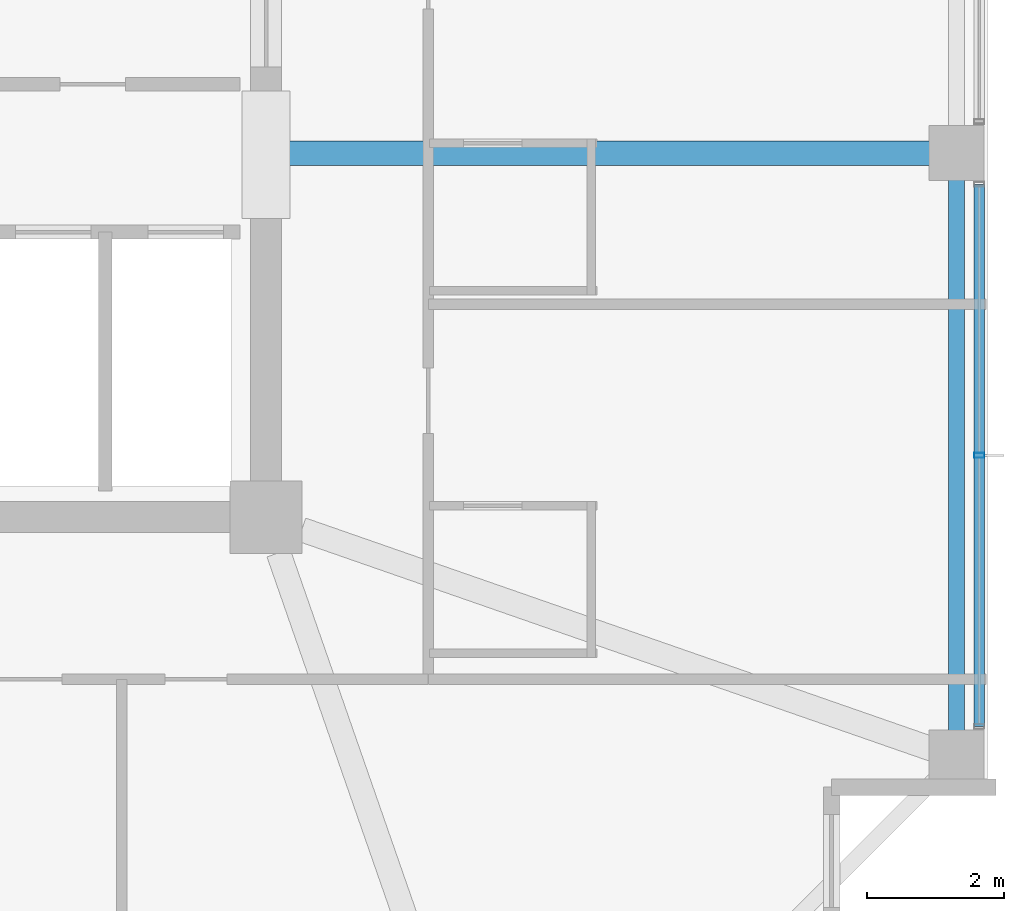
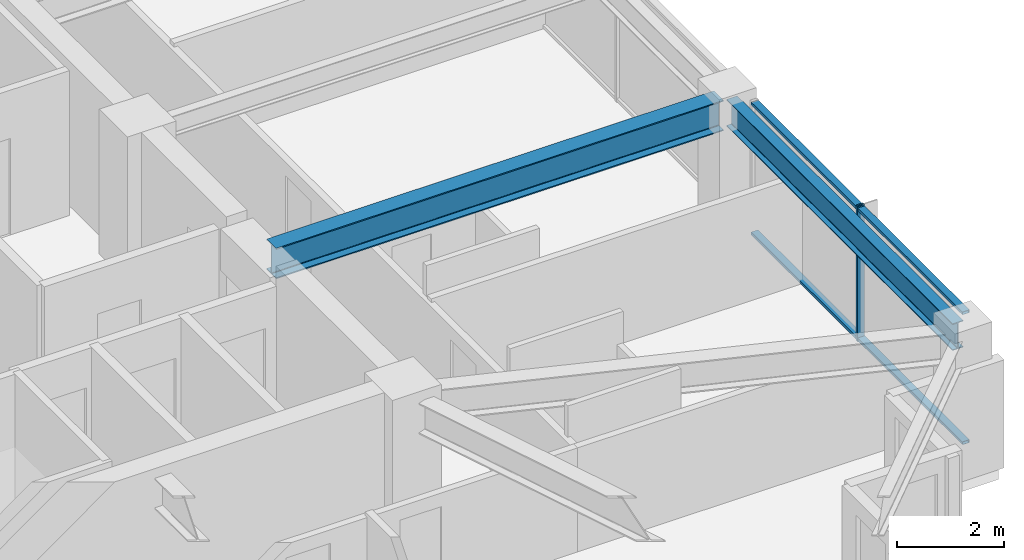
# One storey, part 12 of 36: 3 members, 2 beams, 1 element without a shape of its own.
"""IFC4 building model written with IfcOpenShell, lengths in metres."""

from ifc_helpers import new_model, si_unit, direction, frame, origin, origin_2d, place, context, subcontext, project, spatial, hollow_rectangle, i_section, extrude, material, material_profile, profile_set, type_object, element, aggregate, save


model = new_model("IFC4")

# Units and contexts
model_context = context("Model", 3, precision=1e-05, world=origin(), true_north=direction((0.0, 1.0)))
body_context = subcontext(model_context, "Body", "Model", "MODEL_VIEW")
ifc_project = project(units=[si_unit("LENGTHUNIT", "METRE"), si_unit("AREAUNIT", "SQUARE_METRE"), si_unit("VOLUMEUNIT", "CUBIC_METRE"), si_unit("PLANEANGLEUNIT", "RADIAN"), si_unit("MASSUNIT", "GRAM", prefix="KILO")], contexts=[model_context])

# Site, building, storey
site_placement = place(None, origin())
site = spatial("IfcSite", under=ifc_project, at=site_placement, CompositionType="ELEMENT")
building_placement = place(site_placement, origin())
building = spatial("IfcBuilding", under=site, at=building_placement, Name="Kolvaren Belvedere", CompositionType="ELEMENT")
storey_placement = place(building_placement, frame((0.0, 0.0, 226.199951171875)))
storey = spatial("IfcBuildingStorey", under=building, at=storey_placement, Name="L66", CompositionType="ELEMENT", Elevation=226.199951171875)

# Beams
ifc_material_1 = material(Name="Structural steel ASTM A992 Grade 50", Category="steel")
ifc_material_profile_1 = material_profile(ifc_material_1, i_section(OverallWidth=0.35498046875, OverallDepth=0.696044921875, WebThickness=0.015380859375, FlangeThickness=0.02490234375, FilletRadius=0.02197265625, at=origin_2d()), Name="W27X146")
ifc_profile_set_1 = profile_set([ifc_material_profile_1], Name="Structural steel ASTM A992 Grade 50")
beam_type_1 = type_object("IfcBeamType", Name="BM-GIRD-W27X146", PredefinedType="BEAM", material=ifc_profile_set_1)
beam_1_placement = place(storey_placement, frame((10.125, -4.60009765625, 2.73193359375), z_axis=(1.0, 0.0, 0.0), x_axis=(0.0, 1.0, 0.0)))
element("IfcBeam", 1, at=beam_1_placement, inside=storey, type_object=beam_type_1, Name="L66 East Radial Girder M", PredefinedType="BEAM", context=body_context, shape_type="SweptSolid", body=[
    extrude(i_section(OverallWidth=0.35498046875, OverallDepth=0.696044921875, WebThickness=0.015380859375, FlangeThickness=0.02490234375, FilletRadius=0.02197265625, at=origin_2d()), origin(), (0.0, 0.0, 1.0), 9.64501953125),
])
ifc_material_2 = material(Name="Structural steel ASTM A992 Grade 50", Category="steel")
ifc_material_profile_2 = material_profile(ifc_material_2, i_section(OverallWidth=0.22900390625, OverallDepth=0.612060546875, WebThickness=0.011962890625, FlangeThickness=0.01953125, FilletRadius=0.01806640625, at=origin_2d()), Name="W24X84")
ifc_profile_set_2 = profile_set([ifc_material_profile_2], Name="Structural steel ASTM A992 Grade 50")
beam_type_2 = type_object("IfcBeamType", Name="BM-SPAN-W24X84", PredefinedType="SPANDREL", material=ifc_profile_set_2)
beam_2_placement = place(storey_placement, frame((19.949951171875, -13.219970703125, 2.774169921875), z_axis=(0.0, 1.0, 0.0), x_axis=(-1.0, 0.0, 0.0)))
element("IfcBeam", 2, at=beam_2_placement, inside=storey, type_object=beam_type_2, Name="L66 Perimeter Spandrel E1-E2", PredefinedType="SPANDREL", context=body_context, shape_type="SweptSolid", body=[
    extrude(i_section(OverallWidth=0.22900390625, OverallDepth=0.612060546875, WebThickness=0.011962890625, FlangeThickness=0.01953125, FilletRadius=0.01806640625, at=origin_2d()), origin(), (0.0, 0.0, 1.0), 8.43994140625),
])

# Curtain wall, members
ifc_material_3 = material(Name="Anodised pale-metal aluminium AA 6063-T6", Category="aluminium")
curtain_wall_type = type_object("IfcCurtainWallType", Name="CW-Z5-HIGH", PredefinedType="NOTDEFINED", material=ifc_material_3)
curtain_wall_placement = place(storey_placement, origin())
curtain_wall = element("IfcCurtainWall", 3, at=curtain_wall_placement, inside=storey, type_object=curtain_wall_type, Name="L66 Unitised Curtain Wall FCW-L66-E-B3", PredefinedType="NOTDEFINED")
ifc_material_4 = material(Name="Anodised pale-metal aluminium AA 6063-T6", Category="aluminium")
ifc_material_profile_3 = material_profile(ifc_material_4, hollow_rectangle(XDim=0.070068359375, YDim=0.14990234375, WallThickness=0.004150390625, at=origin_2d()), Name="ALU-MUL-150X70")
ifc_profile_set_3 = profile_set([ifc_material_profile_3], Name="Anodised pale-metal aluminium AA 6063-T6")
member_type_1 = type_object("IfcMemberType", Name="CW-MUL-150", PredefinedType="MULLION", material=ifc_profile_set_3)
member_1_placement = place(storey_placement, frame((20.280029296875, -9.0, 0.0), z_axis=(0.0, 0.0, 1.0), x_axis=(0.0, 1.0, 0.0)))
member_1 = element("IfcMember", 4, at=member_1_placement, type_object=member_type_1, Name="FCW-L66-E-B3 Unitised Mullion 2", PredefinedType="MULLION", context=body_context, shape_type="SweptSolid", body=[
    extrude(hollow_rectangle(XDim=0.070068359375, YDim=0.14990234375, WallThickness=0.004150390625, at=origin_2d()), origin(), (0.0, 0.0, 1.0), 3.080078125),
])
ifc_material_5 = material(Name="Anodised pale-metal aluminium AA 6063-T6", Category="aluminium")
ifc_material_profile_4 = material_profile(ifc_material_5, hollow_rectangle(XDim=0.06494140625, YDim=0.14990234375, WallThickness=0.00390625, at=origin_2d()), Name="ALU-TRN-150X65")
ifc_profile_set_4 = profile_set([ifc_material_profile_4], Name="Anodised pale-metal aluminium AA 6063-T6")
member_type_2 = type_object("IfcMemberType", Name="CW-TRN-150", PredefinedType="USERDEFINED", material=ifc_profile_set_4)
member_2_placement = place(storey_placement, frame((20.280029296875, -5.054931640625, 0.06005859375), z_axis=(0.0, -1.0, 0.0), x_axis=(0.0, 0.0, 1.0)))
member_2 = element("IfcMember", 5, at=member_2_placement, type_object=member_type_2, Name="FCW-L66-E-B3 Sill Transom", ObjectType="TRANSOM", PredefinedType="USERDEFINED", context=body_context, shape_type="SweptSolid", body=[
    extrude(hollow_rectangle(XDim=0.06494140625, YDim=0.14990234375, WallThickness=0.00390625, at=origin_2d()), origin(), (0.0, 0.0, 1.0), 7.89013671875),
])
member_3_placement = place(storey_placement, frame((20.280029296875, -5.054931640625, 3.02001953125), z_axis=(0.0, -1.0, 0.0), x_axis=(0.0, 0.0, 1.0)))
member_3 = element("IfcMember", 6, at=member_3_placement, type_object=member_type_2, Name="FCW-L66-E-B3 Head Transom", ObjectType="TRANSOM", PredefinedType="USERDEFINED", context=body_context, shape_type="SweptSolid", body=[
    extrude(hollow_rectangle(XDim=0.06494140625, YDim=0.14990234375, WallThickness=0.00390625, at=origin_2d()), origin(), (0.0, 0.0, 1.0), 7.89013671875),
])
aggregate(curtain_wall, [member_1, member_2, member_3])

save(model, "model.ifc")
